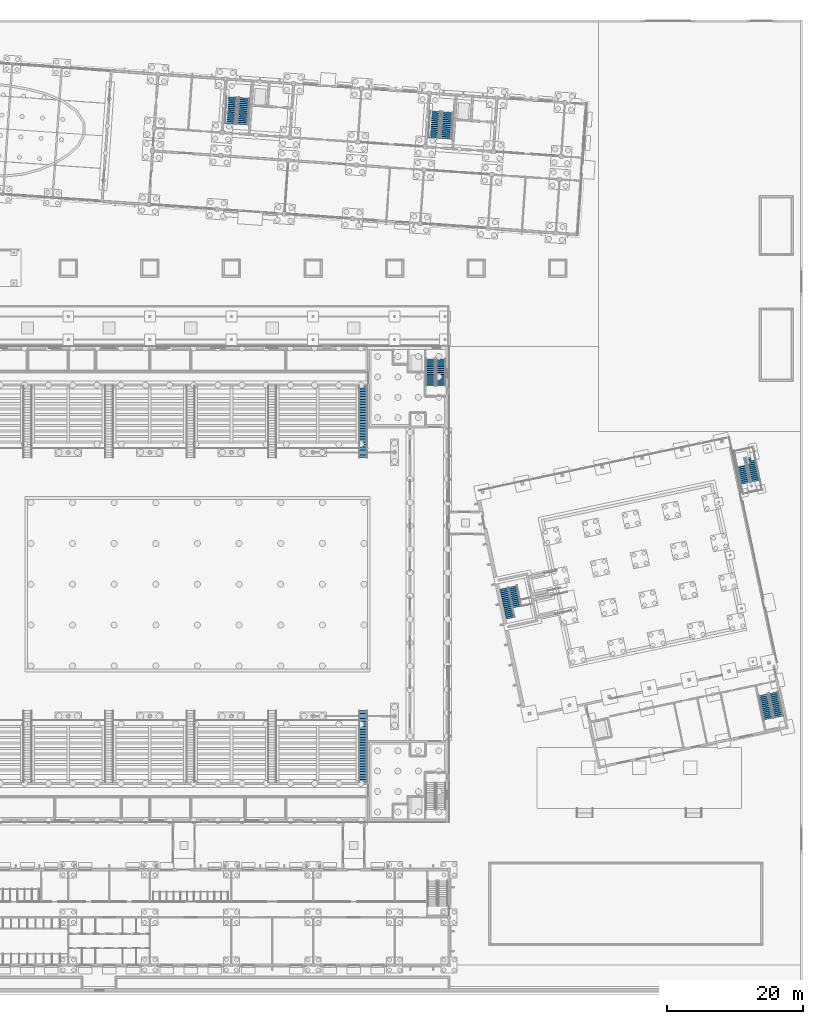
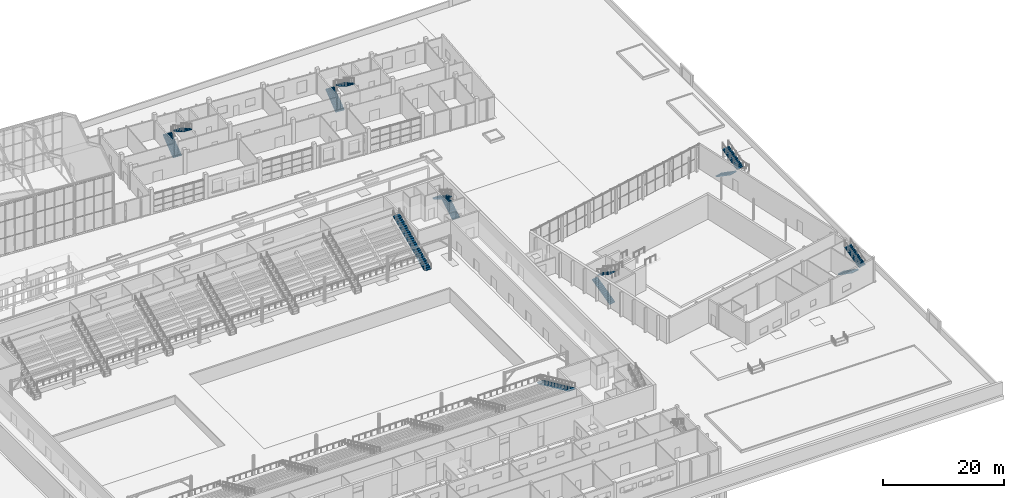
# One storey, part 114 of 157: 14 stair flights, 9 elements without a shape of their own.
"""IFC4 building model written with IfcOpenShell, lengths in metres."""

import ifcopenshell
import ifcopenshell.guid

model = None  # the IFC model being written
_history = None  # IfcOwnerHistory: only IFC2X3 demands one
_inside = {}  # id of a spatial element -> (the spatial element, [elements in it])
_under = {}  # id of a project, library or spatial element -> (it, [spatial elements below it])
_declared = {}  # id of a project -> (the project, [libraries it declares])
_typed = {}  # id of a type object -> (the type object, [elements of that type])
_made_of = {}  # id of a material, layer set ... -> (it, [elements and type objects made of it])


def new_model(schema):
    """Start an empty IFC model of exactly this schema.

    Asked for "IFC4X3", IfcOpenShell would pick the latest addendum, in which some entities
    have other attributes; the version numbers below select the first issue.
    IFC2X3 requires an IfcOwnerHistory on every rooted entity: one is made here for all.
    """
    global model, _history
    if schema == "IFC4X3":
        model = ifcopenshell.file(schema_version=(4, 3, 0, 0))
    else:
        model = ifcopenshell.file(schema=schema)
    _inside.clear()
    _under.clear()
    _declared.clear()
    _typed.clear()
    _made_of.clear()
    _history = None
    if model.schema == "IFC2X3":
        org = make("IfcOrganization", Name="unknown")
        user = make(
            "IfcPersonAndOrganization",
            ThePerson=make("IfcPerson", FamilyName="unknown"),
            TheOrganization=org,
        )
        app = make(
            "IfcApplication",
            ApplicationDeveloper=org,
            Version="unknown",
            ApplicationFullName="unknown",
            ApplicationIdentifier="unknown",
        )
        _history = make(
            "IfcOwnerHistory",
            OwningUser=user,
            OwningApplication=app,
            ChangeAction="ADDED",
            CreationDate=0,
        )
    return model


def make(cls, **values):
    """One entity of the class cls with the attributes given. An attribute that is None is left unset."""
    return model.create_entity(
        cls, **{name: value for name, value in values.items() if value is not None}
    )


def rooted(cls, **values):
    """An entity with a GlobalId (a new one), such as an element, a storey or a relation."""
    return make(cls, GlobalId=ifcopenshell.guid.new(), OwnerHistory=_history, **values)


def si_unit(unit_type, name, prefix=None):
    """IfcSIUnit, for example si_unit("LENGTHUNIT", "METRE", prefix="MILLI")."""
    return make("IfcSIUnit", UnitType=unit_type, Prefix=prefix, Name=name)


def assignment(units):
    """IfcUnitAssignment: the units of a project."""
    return None if units is None else make("IfcUnitAssignment", Units=units)


def point(xyz):
    """IfcCartesianPoint."""
    return None if xyz is None else make("IfcCartesianPoint", Coordinates=xyz)


def direction(xyz):
    """IfcDirection."""
    return None if xyz is None else make("IfcDirection", DirectionRatios=xyz)


def frame(location, z_axis=None, x_axis=None):
    """IfcAxis2Placement3D, a coordinate frame: its origin and axes. An axis left out is left unset."""
    return make(
        "IfcAxis2Placement3D",
        Location=point(location),
        Axis=direction(z_axis),
        RefDirection=direction(x_axis),
    )


def origin():
    """The frame at (0, 0, 0) with its axes left unset."""
    return frame((0.0, 0.0, 0.0))


def place(relative_to, where):
    """IfcLocalPlacement: puts the frame where relative to a parent placement (None: the world)."""
    return make(
        "IfcLocalPlacement", PlacementRelTo=relative_to, RelativePlacement=where
    )


def context(
    kind, dimensions, precision=None, world=None, true_north=None, identifier=None
):
    """IfcGeometricRepresentationContext, for example the 3D "Model" context."""
    return make(
        "IfcGeometricRepresentationContext",
        ContextIdentifier=identifier,
        ContextType=kind,
        CoordinateSpaceDimension=dimensions,
        Precision=precision,
        WorldCoordinateSystem=world,
        TrueNorth=true_north,
    )


def subcontext(parent, identifier, kind, view, scale=None):
    """IfcGeometricRepresentationSubContext, for example "Body" below "Model"."""
    return make(
        "IfcGeometricRepresentationSubContext",
        ContextIdentifier=identifier,
        ContextType=kind,
        ParentContext=parent,
        TargetScale=scale,
        TargetView=view,
    )


def project(units=None, contexts=None):
    """IfcProject with its units and contexts."""
    return rooted(
        "IfcProject",
        Name="project",
        RepresentationContexts=contexts,
        UnitsInContext=assignment(units),
    )


def spatial(cls, under=None, at=None, **own):
    """A site, building, storey or space (cls), placed at a placement, below another one or the project."""
    s = rooted(cls, ObjectPlacement=at, **own)
    if under is not None:
        _under.setdefault(under.id(), (under, []))[1].append(s)
    return s


def polyline(points):
    """IfcPolyline through the points."""
    return make("IfcPolyline", Points=[point(p) for p in points])


def outline(outer, holes=None, kind="AREA"):
    """IfcArbitraryClosedProfileDef: a profile drawn as a closed curve; with holes, ...WithVoids."""
    if holes is None:
        return make("IfcArbitraryClosedProfileDef", ProfileType=kind, OuterCurve=outer)
    return make(
        "IfcArbitraryProfileDefWithVoids",
        ProfileType=kind,
        OuterCurve=outer,
        InnerCurves=holes,
    )


def extrude(swept, where, along, depth):
    """IfcExtrudedAreaSolid: the profile swept, set in the frame where, extruded along a direction by depth."""
    return make(
        "IfcExtrudedAreaSolid",
        SweptArea=swept,
        Position=where,
        ExtrudedDirection=direction(along),
        Depth=depth,
    )


def shape(context_of_items, identifier, shape_type, items):
    """IfcShapeRepresentation: the items that make up one representation, for example the "Body"."""
    return make(
        "IfcShapeRepresentation",
        ContextOfItems=context_of_items,
        RepresentationIdentifier=identifier,
        RepresentationType=shape_type,
        Items=items,
    )


def material(Name=None, Category=None):
    """IfcMaterial."""
    return make("IfcMaterial", Name=Name, Category=Category)


def made_of(thing, what):
    """Note that an element or type object is made of a material, layer set ...; save() writes the relation."""
    if what is not None:
        _made_of.setdefault(what.id(), (what, []))[1].append(thing)
    return thing


def type_object(cls, material=None, **own):
    """A type object (cls), such as IfcWallType, which elements share."""
    return made_of(rooted(cls, **own), material)


def element(
    cls,
    number,
    at=None,
    inside=None,
    cuts=None,
    type_object=None,
    material=None,
    context=None,
    identifier="Body",
    shape_type=None,
    held_by="IfcProductDefinitionShape",
    body=None,
    shapes=None,
    **own,
):
    """One element of the class cls, such as IfcWall. Its Tag is "e" and its number.

    at: its placement. inside: the storey or other place that contains it. cuts: it is an
    opening in that element (IfcRelVoidsElement). A single representation is given by context,
    identifier, shape_type and body (its items); several are given by shapes. held_by: the class
    of the entity that holds the representations. save() writes the other relations.
    """
    e = rooted(cls, Tag="e%d" % number, ObjectPlacement=at, **own)
    if body is not None:
        shapes = [shape(context, identifier, shape_type, body)]
    if shapes is not None:
        e.Representation = make(held_by, Representations=shapes)
    if inside is not None:
        _inside.setdefault(inside.id(), (inside, []))[1].append(e)
    if cuts is not None:
        rooted(
            "IfcRelVoidsElement", RelatingBuildingElement=cuts, RelatedOpeningElement=e
        )
    if type_object is not None:
        _typed.setdefault(type_object.id(), (type_object, []))[1].append(e)
    return made_of(e, material)


def aggregate(whole, parts):
    """IfcRelAggregates: a whole, such as a stair, and the parts it consists of."""
    return rooted("IfcRelAggregates", RelatingObject=whole, RelatedObjects=parts)


def save(model, path):
    """Write the relations noted so far, then the file.

    IfcRelAggregates (storeys below a building ...), IfcRelContainedInSpatialStructure (elements
    in a storey), IfcRelDefinesByType, IfcRelAssociatesMaterial and IfcRelDeclares: one each for
    every whole, place, type object, material and project.
    """
    for whole, parts in _under.values():
        aggregate(whole, parts)
    for where, things in _inside.values():
        rooted(
            "IfcRelContainedInSpatialStructure",
            RelatedElements=things,
            RelatingStructure=where,
        )
    for kind, things in _typed.values():
        rooted("IfcRelDefinesByType", RelatedObjects=things, RelatingType=kind)
    for what, things in _made_of.values():
        rooted("IfcRelAssociatesMaterial", RelatedObjects=things, RelatingMaterial=what)
    for by, libraries in _declared.values():
        rooted("IfcRelDeclares", RelatingContext=by, RelatedDefinitions=libraries)
    model.write(path)


model = new_model("IFC4")

# Units and contexts
model_context = context("Model", 3, precision=1e-05, world=origin(), true_north=direction((0.0, 1.0)))
body_context = subcontext(model_context, "Body", "Model", "MODEL_VIEW")
ifc_project = project(units=[si_unit("LENGTHUNIT", "METRE"), si_unit("AREAUNIT", "SQUARE_METRE"), si_unit("VOLUMEUNIT", "CUBIC_METRE"), si_unit("PLANEANGLEUNIT", "RADIAN"), si_unit("MASSUNIT", "GRAM", prefix="KILO")], contexts=[model_context])

# Site, building, storey
site_placement = place(None, origin())
site = spatial("IfcSite", under=ifc_project, at=site_placement, CompositionType="ELEMENT")
building_placement = place(site_placement, origin())
building = spatial("IfcBuilding", under=site, at=building_placement, Name="Windward Yard Aquatics Centre", CompositionType="ELEMENT")
storey_placement = place(building_placement, origin())
storey = spatial("IfcBuildingStorey", under=building, at=storey_placement, Name="L00", CompositionType="ELEMENT", Elevation=0.0)

# Stair, stair flights
ifc_material_1 = material(Name="Concrete C35/45", Category="concrete")
stair_type_1 = type_object("IfcStairType", Name="D Annex stair dog-leg stair", PredefinedType="HALF_TURN_STAIR", material=ifc_material_1)
stair_1_placement = place(storey_placement, origin())
stair_1 = element("IfcStair", 1, at=stair_1_placement, inside=storey, type_object=stair_type_1, Name="L00 Annex stair", PredefinedType="HALF_TURN_STAIR")
stair_flight_type_1 = type_object("IfcStairFlightType", Name="D Annex stair stair flight", PredefinedType="STRAIGHT", material=ifc_material_1)
stair_flight_1_placement = place(storey_placement, frame((198.23291015625, 44.729248046875, 0.0), z_axis=(0.0, 0.0, 1.0), x_axis=(0.207911690818, -0.978147600734, 0.0)))
stair_flight_1 = element("IfcStairFlight", 2, at=stair_flight_1_placement, type_object=stair_flight_type_1, Name="D-ST1 flight 1", NumberOfRisers=14, NumberOfTreads=13, PredefinedType="STRAIGHT", RiserHeight=0.178571429, TreadLength=0.28, context=body_context, shape_type="SweptSolid", body=[
    extrude(outline(polyline([(0.0, 0.0), (0.0, 0.178466796875), (0.280029296875, 0.178466796875), (0.280029296875, 0.357177734375), (0.56005859375, 0.357177734375), (0.56005859375, 0.53564453125), (0.840087890625, 0.53564453125), (0.840087890625, 0.71435546875), (1.1201171875, 0.71435546875), (1.1201171875, 0.892822265625), (1.39990234375, 0.892822265625), (1.39990234375, 1.071533203125), (1.679931640625, 1.071533203125), (1.679931640625, 1.25), (1.9599609375, 1.25), (1.9599609375, 1.428466796875), (2.239990234375, 1.428466796875), (2.239990234375, 1.607177734375), (2.52001953125, 1.607177734375), (2.52001953125, 1.78564453125), (2.800048828125, 1.78564453125), (2.800048828125, 1.96435546875), (3.080078125, 1.96435546875), (3.080078125, 2.142822265625), (3.360107421875, 2.142822265625), (3.360107421875, 2.321533203125), (3.639892578125, 2.321533203125), (3.639892578125, 2.5), (3.639892578125, 2.1435546875), (0.27880859375, 0.0), (0.0, 0.0)])), frame((0.0, 0.699951171875, 0.0), z_axis=(0.0, -1.0, 0.0), x_axis=(1.0, 0.0, 0.0)), (0.0, 0.0, 1.0), 1.39990234375),
])
stair_flight_2_placement = place(storey_placement, frame((200.505859375, 41.490966796875, 2.5), z_axis=(0.0, 0.0, 1.0), x_axis=(-0.207911690818, 0.978147600734, 0.0)))
stair_flight_2 = element("IfcStairFlight", 3, at=stair_flight_2_placement, type_object=stair_flight_type_1, Name="D-ST1 flight 2", NumberOfRisers=14, NumberOfTreads=13, PredefinedType="STRAIGHT", RiserHeight=0.178571429, TreadLength=0.28, context=body_context, shape_type="SweptSolid", body=[
    extrude(outline(polyline([(0.0, 0.0), (0.0, 0.178466796875), (0.280029296875, 0.178466796875), (0.280029296875, 0.357177734375), (0.56005859375, 0.357177734375), (0.56005859375, 0.53564453125), (0.840087890625, 0.53564453125), (0.840087890625, 0.71435546875), (1.1201171875, 0.71435546875), (1.1201171875, 0.892822265625), (1.39990234375, 0.892822265625), (1.39990234375, 1.071533203125), (1.679931640625, 1.071533203125), (1.679931640625, 1.25), (1.9599609375, 1.25), (1.9599609375, 1.428466796875), (2.239990234375, 1.428466796875), (2.239990234375, 1.607177734375), (2.52001953125, 1.607177734375), (2.52001953125, 1.78564453125), (2.800048828125, 1.78564453125), (2.800048828125, 1.96435546875), (3.080078125, 1.96435546875), (3.080078125, 2.142822265625), (3.360107421875, 2.142822265625), (3.360107421875, 2.321533203125), (3.639892578125, 2.321533203125), (3.639892578125, 2.5), (3.639892578125, 2.1435546875), (0.27880859375, 0.0), (0.0, 0.0)])), frame((0.0, 0.699951171875, 0.0), z_axis=(0.0, -1.0, 0.0), x_axis=(1.0, 0.0, 0.0)), (0.0, 0.0, 1.0), 1.39990234375),
])
aggregate(stair_1, [stair_flight_1, stair_flight_2])

stair_type_2 = type_object("IfcStairType", Name="D Gallery escape stair dog-leg stair", PredefinedType="HALF_TURN_STAIR", material=ifc_material_1)
stair_2_placement = place(storey_placement, origin())
stair_2 = element("IfcStair", 4, at=stair_2_placement, inside=storey, type_object=stair_type_2, Name="L00 Gallery escape stair", PredefinedType="HALF_TURN_STAIR")
stair_flight_type_2 = type_object("IfcStairFlightType", Name="D Gallery escape stair stair flight", PredefinedType="STRAIGHT", material=ifc_material_1)
stair_flight_3_placement = place(storey_placement, frame((194.85400390625, 79.384033203125, 0.0), z_axis=(0.0, 0.0, 1.0), x_axis=(0.207911690818, -0.978147600734, 0.0)))
stair_flight_3 = element("IfcStairFlight", 5, at=stair_flight_3_placement, type_object=stair_flight_type_2, Name="D-ST2 flight 1", NumberOfRisers=14, NumberOfTreads=13, PredefinedType="STRAIGHT", RiserHeight=0.178571429, TreadLength=0.28, context=body_context, shape_type="SweptSolid", body=[
    extrude(outline(polyline([(0.0, 0.0), (0.0, 0.178466796875), (0.280029296875, 0.178466796875), (0.280029296875, 0.357177734375), (0.56005859375, 0.357177734375), (0.56005859375, 0.53564453125), (0.840087890625, 0.53564453125), (0.840087890625, 0.71435546875), (1.1201171875, 0.71435546875), (1.1201171875, 0.892822265625), (1.39990234375, 0.892822265625), (1.39990234375, 1.071533203125), (1.679931640625, 1.071533203125), (1.679931640625, 1.25), (1.9599609375, 1.25), (1.9599609375, 1.428466796875), (2.239990234375, 1.428466796875), (2.239990234375, 1.607177734375), (2.52001953125, 1.607177734375), (2.52001953125, 1.78564453125), (2.800048828125, 1.78564453125), (2.800048828125, 1.96435546875), (3.080078125, 1.96435546875), (3.080078125, 2.142822265625), (3.360107421875, 2.142822265625), (3.360107421875, 2.321533203125), (3.639892578125, 2.321533203125), (3.639892578125, 2.5), (3.639892578125, 2.1435546875), (0.27880859375, 0.0), (0.0, 0.0)])), frame((0.0, 0.699951171875, 0.0), z_axis=(0.0, -1.0, 0.0), x_axis=(1.0, 0.0, 0.0)), (0.0, 0.0, 1.0), 1.39990234375),
])
stair_flight_4_placement = place(storey_placement, frame((197.126953125, 76.145751953125, 2.5), z_axis=(0.0, 0.0, 1.0), x_axis=(-0.207911690818, 0.978147600734, 0.0)))
stair_flight_4 = element("IfcStairFlight", 6, at=stair_flight_4_placement, type_object=stair_flight_type_2, Name="D-ST2 flight 2", NumberOfRisers=14, NumberOfTreads=13, PredefinedType="STRAIGHT", RiserHeight=0.178571429, TreadLength=0.28, context=body_context, shape_type="SweptSolid", body=[
    extrude(outline(polyline([(0.0, 0.0), (0.0, 0.178466796875), (0.280029296875, 0.178466796875), (0.280029296875, 0.357177734375), (0.56005859375, 0.357177734375), (0.56005859375, 0.53564453125), (0.840087890625, 0.53564453125), (0.840087890625, 0.71435546875), (1.1201171875, 0.71435546875), (1.1201171875, 0.892822265625), (1.39990234375, 0.892822265625), (1.39990234375, 1.071533203125), (1.679931640625, 1.071533203125), (1.679931640625, 1.25), (1.9599609375, 1.25), (1.9599609375, 1.428466796875), (2.239990234375, 1.428466796875), (2.239990234375, 1.607177734375), (2.52001953125, 1.607177734375), (2.52001953125, 1.78564453125), (2.800048828125, 1.78564453125), (2.800048828125, 1.96435546875), (3.080078125, 1.96435546875), (3.080078125, 2.142822265625), (3.360107421875, 2.142822265625), (3.360107421875, 2.321533203125), (3.639892578125, 2.321533203125), (3.639892578125, 2.5), (3.639892578125, 2.1435546875), (0.27880859375, 0.0), (0.0, 0.0)])), frame((0.0, 0.699951171875, 0.0), z_axis=(0.0, -1.0, 0.0), x_axis=(1.0, 0.0, 0.0)), (0.0, 0.0, 1.0), 1.39990234375),
])
aggregate(stair_2, [stair_flight_3, stair_flight_4])

# Stair, stair flight
ifc_material_2 = material(Name="Stainless steel 1.4529", Category="steel")
stair_type_3 = type_object("IfcStairType", Name="D tower stair pan", PredefinedType="STRAIGHT_RUN_STAIR", material=ifc_material_2)
stair_3_placement = place(storey_placement, origin())
stair_3 = element("IfcStair", 7, at=stair_3_placement, inside=storey, type_object=stair_type_3, Name="Tower stair flight 1", PredefinedType="STRAIGHT_RUN_STAIR")
stair_flight_type_3 = type_object("IfcStairFlightType", Name="D tower stair flight stainless pan", PredefinedType="STRAIGHT", material=ifc_material_2)
stair_flight_5_placement = place(storey_placement, frame((161.0244140625, 56.009765625, 0.0), z_axis=(0.0, 0.0, 1.0), x_axis=(-0.207911690818, 0.978147600734, 0.0)))
stair_flight_5 = element("IfcStairFlight", 8, at=stair_flight_5_placement, type_object=stair_flight_type_3, Name="DTS flight 1", NumberOfRisers=17, NumberOfTreads=16, PredefinedType="STRAIGHT", RiserHeight=0.176470588, TreadLength=0.28, context=body_context, shape_type="SweptSolid", body=[
    extrude(outline(polyline([(0.0, 0.0), (0.0, 0.176513671875), (0.280029296875, 0.176513671875), (0.280029296875, 0.35302734375), (0.56005859375, 0.35302734375), (0.56005859375, 0.529296875), (0.840087890625, 0.529296875), (0.840087890625, 0.705810546875), (1.1201171875, 0.705810546875), (1.1201171875, 0.88232421875), (1.39990234375, 0.88232421875), (1.39990234375, 1.058837890625), (1.679931640625, 1.058837890625), (1.679931640625, 1.2353515625), (1.9599609375, 1.2353515625), (1.9599609375, 1.411865234375), (2.239990234375, 1.411865234375), (2.239990234375, 1.588134765625), (2.52001953125, 1.588134765625), (2.52001953125, 1.7646484375), (2.800048828125, 1.7646484375), (2.800048828125, 1.941162109375), (3.080078125, 1.941162109375), (3.080078125, 2.11767578125), (3.360107421875, 2.11767578125), (3.360107421875, 2.294189453125), (3.639892578125, 2.294189453125), (3.639892578125, 2.470703125), (3.919921875, 2.470703125), (3.919921875, 2.64697265625), (4.199951171875, 2.64697265625), (4.199951171875, 2.823486328125), (4.47998046875, 2.823486328125), (4.47998046875, 3.0), (4.47998046875, 2.764404296875), (0.09375, 0.0), (0.0, 0.0)])), frame((0.0, 0.60009765625, 0.0), z_axis=(0.0, -1.0, 0.0), x_axis=(1.0, 0.0, 0.0)), (0.0, 0.0, 1.0), 1.199951171875),
])
aggregate(stair_3, [stair_flight_5])

stair_4_placement = place(storey_placement, origin())
stair_4 = element("IfcStair", 9, at=stair_4_placement, inside=storey, type_object=stair_type_3, Name="Tower stair flight 2", PredefinedType="STRAIGHT_RUN_STAIR")
stair_flight_6_placement = place(storey_placement, frame((161.364501953125, 60.662109375, 3.0), z_axis=(0.0, 0.0, 1.0), x_axis=(0.207911690818, -0.978147600734, 0.0)))
stair_flight_6 = element("IfcStairFlight", 10, at=stair_flight_6_placement, type_object=stair_flight_type_3, Name="DTS flight 1", NumberOfRisers=12, NumberOfTreads=11, PredefinedType="STRAIGHT", RiserHeight=0.166666667, TreadLength=0.28, context=body_context, shape_type="SweptSolid", body=[
    extrude(outline(polyline([(0.0, 0.0), (0.0, 0.166748046875), (0.280029296875, 0.166748046875), (0.280029296875, 0.333251953125), (0.56005859375, 0.333251953125), (0.56005859375, 0.5), (0.840087890625, 0.5), (0.840087890625, 0.666748046875), (1.1201171875, 0.666748046875), (1.1201171875, 0.833251953125), (1.39990234375, 0.833251953125), (1.39990234375, 1.0), (1.679931640625, 1.0), (1.679931640625, 1.166748046875), (1.9599609375, 1.166748046875), (1.9599609375, 1.333251953125), (2.239990234375, 1.333251953125), (2.239990234375, 1.5), (2.52001953125, 1.5), (2.52001953125, 1.666748046875), (2.800048828125, 1.666748046875), (2.800048828125, 1.833251953125), (3.080078125, 1.833251953125), (3.080078125, 2.0), (3.080078125, 1.775146484375), (0.097900390625, 0.0), (0.0, 0.0)])), frame((0.0, 0.60009765625, 0.0), z_axis=(0.0, -1.0, 0.0), x_axis=(1.0, 0.0, 0.0)), (0.0, 0.0, 1.0), 1.199951171875),
])
aggregate(stair_4, [stair_flight_6])

stair_type_4 = type_object("IfcStairType", Name="H Aisle Stair Concrete C35/45 1250", PredefinedType="STRAIGHT_RUN_STAIR", material=ifc_material_1)
stair_5_placement = place(storey_placement, origin())
stair_5 = element("IfcStair", 11, at=stair_5_placement, inside=storey, type_object=stair_type_4, Name="Vomitory stair S7", PredefinedType="STRAIGHT_RUN_STAIR")
stair_flight_type_4 = type_object("IfcStairFlightType", Name="H Aisle Stair Flight Concrete C35/45 1250", PredefinedType="STRAIGHT", material=ifc_material_1)
stair_flight_7_placement = place(storey_placement, frame((139.375, 42.3896484375, 0.0), z_axis=(0.0, 0.0, 1.0), x_axis=(0.0, -1.0, 0.0)))
stair_flight_7 = element("IfcStairFlight", 12, at=stair_flight_7_placement, type_object=stair_flight_type_4, Name="ASS7 flight 1", NumberOfRisers=28, NumberOfTreads=27, PredefinedType="STRAIGHT", RiserHeight=0.178571429, TreadLength=0.39, context=body_context, shape_type="SweptSolid", body=[
    extrude(outline(polyline([(0.0, 0.0), (0.0, 0.178466796875), (0.389892578125, 0.178466796875), (0.389892578125, 0.357177734375), (0.780029296875, 0.357177734375), (0.780029296875, 0.53564453125), (1.169921875, 0.53564453125), (1.169921875, 0.71435546875), (1.56005859375, 0.71435546875), (1.56005859375, 0.892822265625), (1.949951171875, 0.892822265625), (1.949951171875, 1.071533203125), (2.340087890625, 1.071533203125), (2.340087890625, 1.25), (2.72998046875, 1.25), (2.72998046875, 1.428466796875), (3.1201171875, 1.428466796875), (3.1201171875, 1.607177734375), (3.510009765625, 1.607177734375), (3.510009765625, 1.78564453125), (3.89990234375, 1.78564453125), (3.89990234375, 1.96435546875), (4.2900390625, 1.96435546875), (4.2900390625, 2.142822265625), (4.679931640625, 2.142822265625), (4.679931640625, 2.321533203125), (5.070068359375, 2.321533203125), (5.070068359375, 2.5), (5.4599609375, 2.5), (5.4599609375, 2.678466796875), (5.85009765625, 2.678466796875), (5.85009765625, 2.857177734375), (6.239990234375, 2.857177734375), (6.239990234375, 3.03564453125), (6.6298828125, 3.03564453125), (6.6298828125, 3.21435546875), (7.02001953125, 3.21435546875), (7.02001953125, 3.392822265625), (7.409912109375, 3.392822265625), (7.409912109375, 3.571533203125), (7.800048828125, 3.571533203125), (7.800048828125, 3.75), (8.18994140625, 3.75), (8.18994140625, 3.928466796875), (8.580078125, 3.928466796875), (8.580078125, 4.107177734375), (8.969970703125, 4.107177734375), (8.969970703125, 4.28564453125), (9.360107421875, 4.28564453125), (9.360107421875, 4.46435546875), (9.75, 4.46435546875), (9.75, 4.642822265625), (10.139892578125, 4.642822265625), (10.139892578125, 4.821533203125), (10.530029296875, 4.821533203125), (10.530029296875, 5.0), (10.530029296875, 4.6015625), (0.480224609375, 0.0), (0.0, 0.0)])), frame((0.0, 0.625, 0.0), z_axis=(0.0, -1.0, 0.0), x_axis=(1.0, 0.0, 0.0)), (0.0, 0.0, 1.0), 1.25),
])
aggregate(stair_5, [stair_flight_7])

stair_6_placement = place(storey_placement, origin())
stair_6 = element("IfcStair", 13, at=stair_6_placement, inside=storey, type_object=stair_type_4, Name="Vomitory stair N7", PredefinedType="STRAIGHT_RUN_STAIR")
stair_flight_8_placement = place(storey_placement, frame((139.375, 79.6103515625, 0.0), z_axis=(0.0, 0.0, 1.0), x_axis=(0.0, 1.0, 0.0)))
stair_flight_8 = element("IfcStairFlight", 14, at=stair_flight_8_placement, type_object=stair_flight_type_4, Name="ASN7 flight 1", NumberOfRisers=28, NumberOfTreads=27, PredefinedType="STRAIGHT", RiserHeight=0.178571429, TreadLength=0.39, context=body_context, shape_type="SweptSolid", body=[
    extrude(outline(polyline([(0.0, 0.0), (0.0, 0.178466796875), (0.389892578125, 0.178466796875), (0.389892578125, 0.357177734375), (0.780029296875, 0.357177734375), (0.780029296875, 0.53564453125), (1.169921875, 0.53564453125), (1.169921875, 0.71435546875), (1.56005859375, 0.71435546875), (1.56005859375, 0.892822265625), (1.949951171875, 0.892822265625), (1.949951171875, 1.071533203125), (2.340087890625, 1.071533203125), (2.340087890625, 1.25), (2.72998046875, 1.25), (2.72998046875, 1.428466796875), (3.1201171875, 1.428466796875), (3.1201171875, 1.607177734375), (3.510009765625, 1.607177734375), (3.510009765625, 1.78564453125), (3.89990234375, 1.78564453125), (3.89990234375, 1.96435546875), (4.2900390625, 1.96435546875), (4.2900390625, 2.142822265625), (4.679931640625, 2.142822265625), (4.679931640625, 2.321533203125), (5.070068359375, 2.321533203125), (5.070068359375, 2.5), (5.4599609375, 2.5), (5.4599609375, 2.678466796875), (5.85009765625, 2.678466796875), (5.85009765625, 2.857177734375), (6.239990234375, 2.857177734375), (6.239990234375, 3.03564453125), (6.6298828125, 3.03564453125), (6.6298828125, 3.21435546875), (7.02001953125, 3.21435546875), (7.02001953125, 3.392822265625), (7.409912109375, 3.392822265625), (7.409912109375, 3.571533203125), (7.800048828125, 3.571533203125), (7.800048828125, 3.75), (8.18994140625, 3.75), (8.18994140625, 3.928466796875), (8.580078125, 3.928466796875), (8.580078125, 4.107177734375), (8.969970703125, 4.107177734375), (8.969970703125, 4.28564453125), (9.360107421875, 4.28564453125), (9.360107421875, 4.46435546875), (9.75, 4.46435546875), (9.75, 4.642822265625), (10.139892578125, 4.642822265625), (10.139892578125, 4.821533203125), (10.530029296875, 4.821533203125), (10.530029296875, 5.0), (10.530029296875, 4.6015625), (0.480224609375, 0.0), (0.0, 0.0)])), frame((0.0, 0.625, 0.0), z_axis=(0.0, -1.0, 0.0), x_axis=(1.0, 0.0, 0.0)), (0.0, 0.0, 1.0), 1.25),
])
aggregate(stair_6, [stair_flight_8])

# Stair, stair flights
stair_type_5 = type_object("IfcStairType", Name="H Core Stair Concrete C35/45 1400", PredefinedType="HALF_TURN_STAIR", material=ifc_material_1)
stair_7_placement = place(storey_placement, origin())
stair_7 = element("IfcStair", 15, at=stair_7_placement, inside=storey, type_object=stair_type_5, Name="L00 Stair NE", PredefinedType="HALF_TURN_STAIR")
stair_flight_type_5 = type_object("IfcStairFlightType", Name="H Core Stair Flight Concrete C35/45 1400", PredefinedType="STRAIGHT", material=ifc_material_1)
stair_flight_9_placement = place(storey_placement, frame((150.85009765625, 90.199951171875, 0.0), z_axis=(0.0, 0.0, 1.0), x_axis=(0.0, 1.0, 0.0)))
stair_flight_9 = element("IfcStairFlight", 16, at=stair_flight_9_placement, type_object=stair_flight_type_5, Name="ST4 flight 1", NumberOfRisers=15, NumberOfTreads=14, PredefinedType="STRAIGHT", RiserHeight=0.166666667, TreadLength=0.28, context=body_context, shape_type="SweptSolid", body=[
    extrude(outline(polyline([(0.0, 0.0), (0.0, 0.166748046875), (0.280029296875, 0.166748046875), (0.280029296875, 0.333251953125), (0.56005859375, 0.333251953125), (0.56005859375, 0.5), (0.840087890625, 0.5), (0.840087890625, 0.666748046875), (1.1201171875, 0.666748046875), (1.1201171875, 0.833251953125), (1.39990234375, 0.833251953125), (1.39990234375, 1.0), (1.679931640625, 1.0), (1.679931640625, 1.166748046875), (1.9599609375, 1.166748046875), (1.9599609375, 1.333251953125), (2.239990234375, 1.333251953125), (2.239990234375, 1.5), (2.52001953125, 1.5), (2.52001953125, 1.666748046875), (2.800048828125, 1.666748046875), (2.800048828125, 1.833251953125), (3.080078125, 1.833251953125), (3.080078125, 2.0), (3.360107421875, 2.0), (3.360107421875, 2.166748046875), (3.639892578125, 2.166748046875), (3.639892578125, 2.333251953125), (3.919921875, 2.333251953125), (3.919921875, 2.5), (3.919921875, 2.158935546875), (0.29296875, 0.0), (0.0, 0.0)])), frame((0.0, 0.699951171875, 0.0), z_axis=(0.0, -1.0, 0.0), x_axis=(1.0, 0.0, 0.0)), (0.0, 0.0, 1.0), 1.39990234375),
])
stair_flight_10_placement = place(storey_placement, frame((149.300048828125, 94.1201171875, 2.5), z_axis=(0.0, 0.0, 1.0), x_axis=(0.0, -1.0, 0.0)))
stair_flight_10 = element("IfcStairFlight", 17, at=stair_flight_10_placement, type_object=stair_flight_type_5, Name="ST4 flight 2", NumberOfRisers=15, NumberOfTreads=14, PredefinedType="STRAIGHT", RiserHeight=0.166666667, TreadLength=0.28, context=body_context, shape_type="SweptSolid", body=[
    extrude(outline(polyline([(0.0, 0.0), (0.0, 0.166748046875), (0.280029296875, 0.166748046875), (0.280029296875, 0.333251953125), (0.56005859375, 0.333251953125), (0.56005859375, 0.5), (0.840087890625, 0.5), (0.840087890625, 0.666748046875), (1.1201171875, 0.666748046875), (1.1201171875, 0.833251953125), (1.39990234375, 0.833251953125), (1.39990234375, 1.0), (1.679931640625, 1.0), (1.679931640625, 1.166748046875), (1.9599609375, 1.166748046875), (1.9599609375, 1.333251953125), (2.239990234375, 1.333251953125), (2.239990234375, 1.5), (2.52001953125, 1.5), (2.52001953125, 1.666748046875), (2.800048828125, 1.666748046875), (2.800048828125, 1.833251953125), (3.080078125, 1.833251953125), (3.080078125, 2.0), (3.360107421875, 2.0), (3.360107421875, 2.166748046875), (3.639892578125, 2.166748046875), (3.639892578125, 2.333251953125), (3.919921875, 2.333251953125), (3.919921875, 2.5), (3.919921875, 2.158935546875), (0.29296875, 0.0), (0.0, 0.0)])), frame((0.0, 0.699951171875, 0.0), z_axis=(0.0, -1.0, 0.0), x_axis=(1.0, 0.0, 0.0)), (0.0, 0.0, 1.0), 1.39990234375),
])
aggregate(stair_7, [stair_flight_9, stair_flight_10])

stair_type_6 = type_object("IfcStairType", Name="W exit stair 1600", PredefinedType="HALF_TURN_STAIR", material=ifc_material_1)
stair_8_placement = place(storey_placement, origin())
stair_8 = element("IfcStair", 18, at=stair_8_placement, inside=storey, type_object=stair_type_6, Name="W.ST.W.L00", PredefinedType="HALF_TURN_STAIR")
stair_flight_type_6 = type_object("IfcStairFlightType", Name="W stair flight 1600 Concrete C35/45", PredefinedType="STRAIGHT", material=ifc_material_1)
stair_flight_11_placement = place(storey_placement, frame((119.772216796875, 128.763427734375, 0.0), z_axis=(0.0, 0.0, 1.0), x_axis=(0.069756473744, 0.99756405026, 0.0)))
stair_flight_11 = element("IfcStairFlight", 19, at=stair_flight_11_placement, type_object=stair_flight_type_6, Name="ST-W flight 1", NumberOfRisers=15, NumberOfTreads=14, PredefinedType="STRAIGHT", RiserHeight=0.166666667, TreadLength=0.28, context=body_context, shape_type="SweptSolid", body=[
    extrude(outline(polyline([(0.0, 0.0), (0.0, 0.166748046875), (0.280029296875, 0.166748046875), (0.280029296875, 0.333251953125), (0.56005859375, 0.333251953125), (0.56005859375, 0.5), (0.840087890625, 0.5), (0.840087890625, 0.666748046875), (1.1201171875, 0.666748046875), (1.1201171875, 0.833251953125), (1.39990234375, 0.833251953125), (1.39990234375, 1.0), (1.679931640625, 1.0), (1.679931640625, 1.166748046875), (1.9599609375, 1.166748046875), (1.9599609375, 1.333251953125), (2.239990234375, 1.333251953125), (2.239990234375, 1.5), (2.52001953125, 1.5), (2.52001953125, 1.666748046875), (2.800048828125, 1.666748046875), (2.800048828125, 1.833251953125), (3.080078125, 1.833251953125), (3.080078125, 2.0), (3.360107421875, 2.0), (3.360107421875, 2.166748046875), (3.639892578125, 2.166748046875), (3.639892578125, 2.333251953125), (3.919921875, 2.333251953125), (3.919921875, 2.5), (3.919921875, 2.158935546875), (0.29296875, 0.0), (0.0, 0.0)])), frame((0.0, 0.800048828125, 0.0), z_axis=(0.0, -1.0, 0.0), x_axis=(1.0, 0.0, 0.0)), (0.0, 0.0, 1.0), 1.60009765625),
])
stair_flight_12_placement = place(storey_placement, frame((121.89111328125, 132.544921875, 2.5), z_axis=(0.0, 0.0, 1.0), x_axis=(-0.069756473744, -0.99756405026, 0.0)))
stair_flight_12 = element("IfcStairFlight", 20, at=stair_flight_12_placement, type_object=stair_flight_type_6, Name="ST-W flight 2", NumberOfRisers=15, NumberOfTreads=14, PredefinedType="STRAIGHT", RiserHeight=0.166666667, TreadLength=0.28, context=body_context, shape_type="SweptSolid", body=[
    extrude(outline(polyline([(0.0, 0.0), (0.0, 0.166748046875), (0.280029296875, 0.166748046875), (0.280029296875, 0.333251953125), (0.56005859375, 0.333251953125), (0.56005859375, 0.5), (0.840087890625, 0.5), (0.840087890625, 0.666748046875), (1.1201171875, 0.666748046875), (1.1201171875, 0.833251953125), (1.39990234375, 0.833251953125), (1.39990234375, 1.0), (1.679931640625, 1.0), (1.679931640625, 1.166748046875), (1.9599609375, 1.166748046875), (1.9599609375, 1.333251953125), (2.239990234375, 1.333251953125), (2.239990234375, 1.5), (2.52001953125, 1.5), (2.52001953125, 1.666748046875), (2.800048828125, 1.666748046875), (2.800048828125, 1.833251953125), (3.080078125, 1.833251953125), (3.080078125, 2.0), (3.360107421875, 2.0), (3.360107421875, 2.166748046875), (3.639892578125, 2.166748046875), (3.639892578125, 2.333251953125), (3.919921875, 2.333251953125), (3.919921875, 2.5), (3.919921875, 2.158935546875), (0.29296875, 0.0), (0.0, 0.0)])), frame((0.0, 0.800048828125, 0.0), z_axis=(0.0, -1.0, 0.0), x_axis=(1.0, 0.0, 0.0)), (0.0, 0.0, 1.0), 1.60009765625),
])
aggregate(stair_8, [stair_flight_11, stair_flight_12])

stair_9_placement = place(storey_placement, origin())
stair_9 = element("IfcStair", 21, at=stair_9_placement, inside=storey, type_object=stair_type_6, Name="W.ST.E.L00", PredefinedType="HALF_TURN_STAIR")
stair_flight_13_placement = place(storey_placement, frame((149.69921875, 126.670654296875, 0.0), z_axis=(0.0, 0.0, 1.0), x_axis=(0.069756473744, 0.99756405026, 0.0)))
stair_flight_13 = element("IfcStairFlight", 22, at=stair_flight_13_placement, type_object=stair_flight_type_6, Name="ST-E flight 1", NumberOfRisers=15, NumberOfTreads=14, PredefinedType="STRAIGHT", RiserHeight=0.166666667, TreadLength=0.28, context=body_context, shape_type="SweptSolid", body=[
    extrude(outline(polyline([(0.0, 0.0), (0.0, 0.166748046875), (0.280029296875, 0.166748046875), (0.280029296875, 0.333251953125), (0.56005859375, 0.333251953125), (0.56005859375, 0.5), (0.840087890625, 0.5), (0.840087890625, 0.666748046875), (1.1201171875, 0.666748046875), (1.1201171875, 0.833251953125), (1.39990234375, 0.833251953125), (1.39990234375, 1.0), (1.679931640625, 1.0), (1.679931640625, 1.166748046875), (1.9599609375, 1.166748046875), (1.9599609375, 1.333251953125), (2.239990234375, 1.333251953125), (2.239990234375, 1.5), (2.52001953125, 1.5), (2.52001953125, 1.666748046875), (2.800048828125, 1.666748046875), (2.800048828125, 1.833251953125), (3.080078125, 1.833251953125), (3.080078125, 2.0), (3.360107421875, 2.0), (3.360107421875, 2.166748046875), (3.639892578125, 2.166748046875), (3.639892578125, 2.333251953125), (3.919921875, 2.333251953125), (3.919921875, 2.5), (3.919921875, 2.158935546875), (0.29296875, 0.0), (0.0, 0.0)])), frame((0.0, 0.800048828125, 0.0), z_axis=(0.0, -1.0, 0.0), x_axis=(1.0, 0.0, 0.0)), (0.0, 0.0, 1.0), 1.60009765625),
])
stair_flight_14_placement = place(storey_placement, frame((151.818115234375, 130.4521484375, 2.5), z_axis=(0.0, 0.0, 1.0), x_axis=(-0.069756473744, -0.99756405026, 0.0)))
stair_flight_14 = element("IfcStairFlight", 23, at=stair_flight_14_placement, type_object=stair_flight_type_6, Name="ST-E flight 2", NumberOfRisers=15, NumberOfTreads=14, PredefinedType="STRAIGHT", RiserHeight=0.166666667, TreadLength=0.28, context=body_context, shape_type="SweptSolid", body=[
    extrude(outline(polyline([(0.0, 0.0), (0.0, 0.166748046875), (0.280029296875, 0.166748046875), (0.280029296875, 0.333251953125), (0.56005859375, 0.333251953125), (0.56005859375, 0.5), (0.840087890625, 0.5), (0.840087890625, 0.666748046875), (1.1201171875, 0.666748046875), (1.1201171875, 0.833251953125), (1.39990234375, 0.833251953125), (1.39990234375, 1.0), (1.679931640625, 1.0), (1.679931640625, 1.166748046875), (1.9599609375, 1.166748046875), (1.9599609375, 1.333251953125), (2.239990234375, 1.333251953125), (2.239990234375, 1.5), (2.52001953125, 1.5), (2.52001953125, 1.666748046875), (2.800048828125, 1.666748046875), (2.800048828125, 1.833251953125), (3.080078125, 1.833251953125), (3.080078125, 2.0), (3.360107421875, 2.0), (3.360107421875, 2.166748046875), (3.639892578125, 2.166748046875), (3.639892578125, 2.333251953125), (3.919921875, 2.333251953125), (3.919921875, 2.5), (3.919921875, 2.158935546875), (0.29296875, 0.0), (0.0, 0.0)])), frame((0.0, 0.800048828125, 0.0), z_axis=(0.0, -1.0, 0.0), x_axis=(1.0, 0.0, 0.0)), (0.0, 0.0, 1.0), 1.60009765625),
])
aggregate(stair_9, [stair_flight_13, stair_flight_14])

save(model, "model.ifc")
